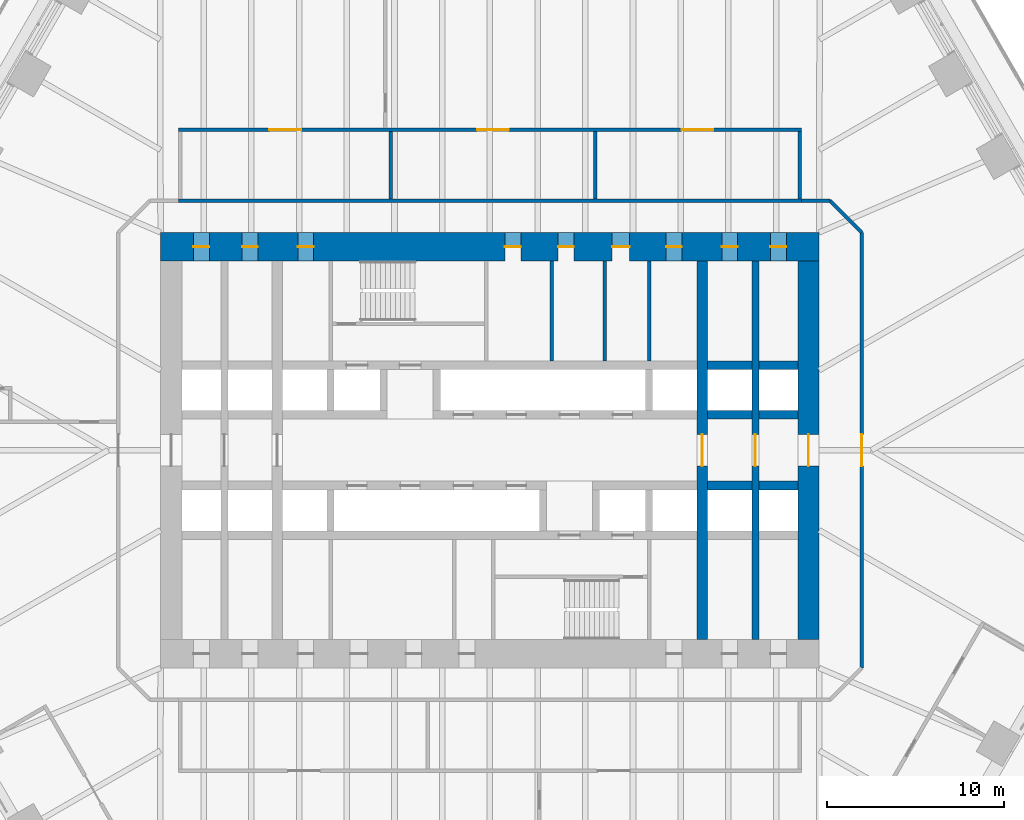
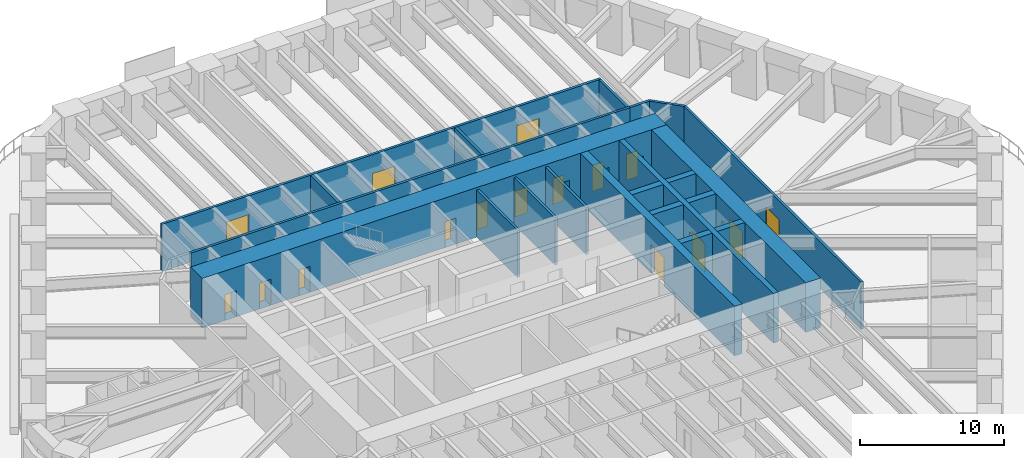
# One storey, part 19 of 23: 21 walls, 16 doors, 16 openings.
"""IFC4 building model written with IfcOpenShell, lengths in metres."""

import ifcopenshell
import ifcopenshell.guid

model = None  # the IFC model being written
_history = None  # IfcOwnerHistory: only IFC2X3 demands one
_inside = {}  # id of a spatial element -> (the spatial element, [elements in it])
_under = {}  # id of a project, library or spatial element -> (it, [spatial elements below it])
_declared = {}  # id of a project -> (the project, [libraries it declares])
_typed = {}  # id of a type object -> (the type object, [elements of that type])
_made_of = {}  # id of a material, layer set ... -> (it, [elements and type objects made of it])


def new_model(schema):
    """Start an empty IFC model of exactly this schema.

    Asked for "IFC4X3", IfcOpenShell would pick the latest addendum, in which some entities
    have other attributes; the version numbers below select the first issue.
    IFC2X3 requires an IfcOwnerHistory on every rooted entity: one is made here for all.
    """
    global model, _history
    if schema == "IFC4X3":
        model = ifcopenshell.file(schema_version=(4, 3, 0, 0))
    else:
        model = ifcopenshell.file(schema=schema)
    _inside.clear()
    _under.clear()
    _declared.clear()
    _typed.clear()
    _made_of.clear()
    _history = None
    if model.schema == "IFC2X3":
        org = make("IfcOrganization", Name="unknown")
        user = make(
            "IfcPersonAndOrganization",
            ThePerson=make("IfcPerson", FamilyName="unknown"),
            TheOrganization=org,
        )
        app = make(
            "IfcApplication",
            ApplicationDeveloper=org,
            Version="unknown",
            ApplicationFullName="unknown",
            ApplicationIdentifier="unknown",
        )
        _history = make(
            "IfcOwnerHistory",
            OwningUser=user,
            OwningApplication=app,
            ChangeAction="ADDED",
            CreationDate=0,
        )
    return model


def make(cls, **values):
    """One entity of the class cls with the attributes given. An attribute that is None is left unset."""
    return model.create_entity(
        cls, **{name: value for name, value in values.items() if value is not None}
    )


def rooted(cls, **values):
    """An entity with a GlobalId (a new one), such as an element, a storey or a relation."""
    return make(cls, GlobalId=ifcopenshell.guid.new(), OwnerHistory=_history, **values)


def si_unit(unit_type, name, prefix=None):
    """IfcSIUnit, for example si_unit("LENGTHUNIT", "METRE", prefix="MILLI")."""
    return make("IfcSIUnit", UnitType=unit_type, Prefix=prefix, Name=name)


def assignment(units):
    """IfcUnitAssignment: the units of a project."""
    return None if units is None else make("IfcUnitAssignment", Units=units)


def point(xyz):
    """IfcCartesianPoint."""
    return None if xyz is None else make("IfcCartesianPoint", Coordinates=xyz)


def direction(xyz):
    """IfcDirection."""
    return None if xyz is None else make("IfcDirection", DirectionRatios=xyz)


def frame(location, z_axis=None, x_axis=None):
    """IfcAxis2Placement3D, a coordinate frame: its origin and axes. An axis left out is left unset."""
    return make(
        "IfcAxis2Placement3D",
        Location=point(location),
        Axis=direction(z_axis),
        RefDirection=direction(x_axis),
    )


def frame_2d(location, x_axis=None):
    """IfcAxis2Placement2D, a coordinate frame in the plane: its origin and x axis."""
    return make(
        "IfcAxis2Placement2D", Location=point(location), RefDirection=direction(x_axis)
    )


def origin():
    """The frame at (0, 0, 0) with its axes left unset."""
    return frame((0.0, 0.0, 0.0))


def place(relative_to, where):
    """IfcLocalPlacement: puts the frame where relative to a parent placement (None: the world)."""
    return make(
        "IfcLocalPlacement", PlacementRelTo=relative_to, RelativePlacement=where
    )


def context(
    kind, dimensions, precision=None, world=None, true_north=None, identifier=None
):
    """IfcGeometricRepresentationContext, for example the 3D "Model" context."""
    return make(
        "IfcGeometricRepresentationContext",
        ContextIdentifier=identifier,
        ContextType=kind,
        CoordinateSpaceDimension=dimensions,
        Precision=precision,
        WorldCoordinateSystem=world,
        TrueNorth=true_north,
    )


def subcontext(parent, identifier, kind, view, scale=None):
    """IfcGeometricRepresentationSubContext, for example "Body" below "Model"."""
    return make(
        "IfcGeometricRepresentationSubContext",
        ContextIdentifier=identifier,
        ContextType=kind,
        ParentContext=parent,
        TargetScale=scale,
        TargetView=view,
    )


def project(units=None, contexts=None):
    """IfcProject with its units and contexts."""
    return rooted(
        "IfcProject",
        Name="project",
        RepresentationContexts=contexts,
        UnitsInContext=assignment(units),
    )


def spatial(cls, under=None, at=None, **own):
    """A site, building, storey or space (cls), placed at a placement, below another one or the project."""
    s = rooted(cls, ObjectPlacement=at, **own)
    if under is not None:
        _under.setdefault(under.id(), (under, []))[1].append(s)
    return s


def profile(cls, at=None, kind="AREA", **sizes):
    """A parametric profile (cls). Its sizes go by their IFC names, for example OverallWidth=200.0."""
    return make(cls, ProfileType=kind, Position=at, **sizes)


def rectangle(**sizes):
    """IfcRectangleProfileDef."""
    return profile("IfcRectangleProfileDef", **sizes)


def extrude(swept, where, along, depth):
    """IfcExtrudedAreaSolid: the profile swept, set in the frame where, extruded along a direction by depth."""
    return make(
        "IfcExtrudedAreaSolid",
        SweptArea=swept,
        Position=where,
        ExtrudedDirection=direction(along),
        Depth=depth,
    )


def shape(context_of_items, identifier, shape_type, items):
    """IfcShapeRepresentation: the items that make up one representation, for example the "Body"."""
    return make(
        "IfcShapeRepresentation",
        ContextOfItems=context_of_items,
        RepresentationIdentifier=identifier,
        RepresentationType=shape_type,
        Items=items,
    )


def material(Name=None, Category=None):
    """IfcMaterial."""
    return make("IfcMaterial", Name=Name, Category=Category)


def layer(
    of_material, thickness, ventilated=None, Name=None, Category=None, Priority=None
):
    """IfcMaterialLayer: one layer of a wall or slab, of a material (None: an air gap)."""
    return make(
        "IfcMaterialLayer",
        Material=of_material,
        LayerThickness=thickness,
        IsVentilated=ventilated,
        Name=Name,
        Category=Category,
        Priority=Priority,
    )


def layer_set(layers, Name=None):
    """IfcMaterialLayerSet."""
    return make("IfcMaterialLayerSet", MaterialLayers=layers, LayerSetName=Name)


def made_of(thing, what):
    """Note that an element or type object is made of a material, layer set ...; save() writes the relation."""
    if what is not None:
        _made_of.setdefault(what.id(), (what, []))[1].append(thing)
    return thing


def type_object(cls, material=None, **own):
    """A type object (cls), such as IfcWallType, which elements share."""
    return made_of(rooted(cls, **own), material)


def element(
    cls,
    number,
    at=None,
    inside=None,
    cuts=None,
    type_object=None,
    material=None,
    context=None,
    identifier="Body",
    shape_type=None,
    held_by="IfcProductDefinitionShape",
    body=None,
    shapes=None,
    **own,
):
    """One element of the class cls, such as IfcWall. Its Tag is "e" and its number.

    at: its placement. inside: the storey or other place that contains it. cuts: it is an
    opening in that element (IfcRelVoidsElement). A single representation is given by context,
    identifier, shape_type and body (its items); several are given by shapes. held_by: the class
    of the entity that holds the representations. save() writes the other relations.
    """
    e = rooted(cls, Tag="e%d" % number, ObjectPlacement=at, **own)
    if body is not None:
        shapes = [shape(context, identifier, shape_type, body)]
    if shapes is not None:
        e.Representation = make(held_by, Representations=shapes)
    if inside is not None:
        _inside.setdefault(inside.id(), (inside, []))[1].append(e)
    if cuts is not None:
        rooted(
            "IfcRelVoidsElement", RelatingBuildingElement=cuts, RelatedOpeningElement=e
        )
    if type_object is not None:
        _typed.setdefault(type_object.id(), (type_object, []))[1].append(e)
    return made_of(e, material)


def fill(opening, filler):
    """IfcRelFillsElement: the door or window that sits in an opening."""
    return rooted(
        "IfcRelFillsElement",
        RelatingOpeningElement=opening,
        RelatedBuildingElement=filler,
    )


def aggregate(whole, parts):
    """IfcRelAggregates: a whole, such as a stair, and the parts it consists of."""
    return rooted("IfcRelAggregates", RelatingObject=whole, RelatedObjects=parts)


def save(model, path):
    """Write the relations noted so far, then the file.

    IfcRelAggregates (storeys below a building ...), IfcRelContainedInSpatialStructure (elements
    in a storey), IfcRelDefinesByType, IfcRelAssociatesMaterial and IfcRelDeclares: one each for
    every whole, place, type object, material and project.
    """
    for whole, parts in _under.values():
        aggregate(whole, parts)
    for where, things in _inside.values():
        rooted(
            "IfcRelContainedInSpatialStructure",
            RelatedElements=things,
            RelatingStructure=where,
        )
    for kind, things in _typed.values():
        rooted("IfcRelDefinesByType", RelatedObjects=things, RelatingType=kind)
    for what, things in _made_of.values():
        rooted("IfcRelAssociatesMaterial", RelatedObjects=things, RelatingMaterial=what)
    for by, libraries in _declared.values():
        rooted("IfcRelDeclares", RelatingContext=by, RelatedDefinitions=libraries)
    model.write(path)


model = new_model("IFC4")

# Units and contexts
model_context = context("Model", 3, precision=1e-05, world=origin(), true_north=direction((0.0, 1.0)))
body_context = subcontext(model_context, "Body", "Model", "MODEL_VIEW")
ifc_project = project(units=[si_unit("LENGTHUNIT", "METRE"), si_unit("AREAUNIT", "SQUARE_METRE"), si_unit("VOLUMEUNIT", "CUBIC_METRE"), si_unit("PLANEANGLEUNIT", "RADIAN"), si_unit("MASSUNIT", "GRAM", prefix="KILO")], contexts=[model_context])

# Site, building, storey
site_placement = place(None, origin())
site = spatial("IfcSite", under=ifc_project, at=site_placement, CompositionType="ELEMENT")
building_placement = place(site_placement, origin())
building = spatial("IfcBuilding", under=site, at=building_placement, Name="Tarfa Lantern Tower", CompositionType="ELEMENT")
storey_placement = place(building_placement, frame((0.0, 0.0, 82.300048828125)))
storey = spatial("IfcBuildingStorey", under=building, at=storey_placement, Name="L18", CompositionType="ELEMENT", Elevation=82.300048828125)

# Walls
ifc_material_1 = material(Name="Concrete blockwork", Category="masonry")
ifc_layer_1 = layer(ifc_material_1, 0.199951171875)
ifc_layer_set_1 = layer_set([ifc_layer_1], Name="IW1 BLOCKWORK PARTITION 200 EI 120")
wall_type_1 = type_object("IfcWallType", Name="IW1 BLOCKWORK PARTITION 200 EI 120", PredefinedType="PARTITIONING", material=ifc_layer_set_1)
for number, where, z_axis, x_axis, name in (
    (1, (9.0, 5.050048828125, 0.0), (0.0, 0.0, 1.0), (0.0, 1.0, 0.0), "Core partition"),
    (2, (3.5, 5.050048828125, 0.0), (0.0, 0.0, 1.0), (0.0, 1.0, 0.0), "Core partition"),
    (3, (6.5, 5.050048828125, 0.0), (0.0, 0.0, 1.0), (0.0, 1.0, 0.0), "Core partition"),
):
    element("IfcWall", number, at=place(storey_placement, frame(where, z_axis=z_axis, x_axis=x_axis)), inside=storey, type_object=wall_type_1, Name=name, PredefinedType="PARTITIONING", context=body_context, shape_type="SweptSolid", body=[
        extrude(rectangle(XDim=5.64990234375, YDim=0.199951171875, at=frame_2d((2.824951171875, 0.0))), origin(), (0.0, 0.0, 1.0), 4.0),
    ])
ifc_material_2 = material(Name="Gypsum board on steel studs", Category="steel")
ifc_layer_2 = layer(ifc_material_2, 0.2099609375)
ifc_layer_set_2 = layer_set([ifc_layer_2], Name="IW2 ACOUSTIC PARTITION 200")
wall_type_2 = type_object("IfcWallType", Name="IW2 ACOUSTIC PARTITION 200", PredefinedType="PARTITIONING", material=ifc_layer_set_2)
wall_1_placement = place(storey_placement, frame((-17.60009765625, 14.10009765625, 0.0), z_axis=(0.0, 0.0, 1.0), x_axis=(1.0, 0.0, 0.0)))
element("IfcWall", 4, at=wall_1_placement, inside=storey, type_object=wall_type_2, Name="Partition", PredefinedType="PARTITIONING", context=body_context, shape_type="SweptSolid", body=[
    extrude(rectangle(XDim=35.2001953125, YDim=0.199951171875, at=frame_2d((17.60009765625, 0.0))), origin(), (0.0, 0.0, 1.0), 4.0),
])

# Wall, openings, doors
wall_2_placement = place(storey_placement, frame((-17.60009765625, 18.10009765625, 0.0), z_axis=(0.0, 0.0, 1.0), x_axis=(1.0, 0.0, 0.0)))
wall_2 = element("IfcWall", 5, at=wall_2_placement, inside=storey, type_object=wall_type_2, Name="Partition", PredefinedType="PARTITIONING", context=body_context, shape_type="SweptSolid", body=[
    extrude(rectangle(XDim=35.2001953125, YDim=0.199951171875, at=frame_2d((17.60009765625, 0.0))), origin(), (0.0, 0.0, 1.0), 4.0),
])
opening_1_placement = place(wall_2_placement, frame((5.14990234375, 0.0, 0.0)))
opening_1 = element("IfcOpeningElement", 6, at=opening_1_placement, cuts=wall_2, Name="Opening D32", PredefinedType="OPENING", context=body_context, shape_type="SweptSolid", body=[
    extrude(rectangle(XDim=1.800048828125, YDim=2.39990234375, at=frame_2d((0.89990234375, 1.199951171875))), frame((0.0, 0.10986328125, 0.0), z_axis=(0.0, -1.0, 0.0), x_axis=(1.0, 0.0, 0.0)), (0.0, 0.0, 1.0), 0.219970703125),
])
opening_2_placement = place(wall_2_placement, frame((16.875, 0.0, 0.0)))
opening_2 = element("IfcOpeningElement", 7, at=opening_2_placement, cuts=wall_2, Name="Opening D33", PredefinedType="OPENING", context=body_context, shape_type="SweptSolid", body=[
    extrude(rectangle(XDim=1.800048828125, YDim=2.39990234375, at=frame_2d((0.89990234375, 1.199951171875))), frame((0.0, 0.10986328125, 0.0), z_axis=(0.0, -1.0, 0.0), x_axis=(1.0, 0.0, 0.0)), (0.0, 0.0, 1.0), 0.219970703125),
])
opening_3_placement = place(wall_2_placement, frame((28.425048828125, 0.0, 0.0)))
opening_3 = element("IfcOpeningElement", 8, at=opening_3_placement, cuts=wall_2, Name="Opening D34", PredefinedType="OPENING", context=body_context, shape_type="SweptSolid", body=[
    extrude(rectangle(XDim=1.800048828125, YDim=2.39990234375, at=frame_2d((0.89990234375, 1.199951171875))), frame((0.0, 0.10986328125, 0.0), z_axis=(0.0, -1.0, 0.0), x_axis=(1.0, 0.0, 0.0)), (0.0, 0.0, 1.0), 0.219970703125),
])
ifc_material_3 = material(Name="Timber door", Category="wood")
door_type_1 = type_object("IfcDoorType", Name="DR2 ROOM DOOR 1800x2400", OperationType="DOUBLE_DOOR_SINGLE_SWING", PredefinedType="DOOR", material=ifc_material_3)
door_1_placement = place(opening_1_placement, frame((1.800048828125, 0.0, 0.0), z_axis=(0.0, 0.0, 1.0), x_axis=(-1.0, 0.0, 0.0)))
door_1 = element("IfcDoor", 9, at=door_1_placement, inside=storey, type_object=door_type_1, Name="Interview room door", OperationType="DOUBLE_DOOR_SINGLE_SWING", OverallHeight=2.39990234375, OverallWidth=1.800048828125, PredefinedType="DOOR", context=body_context, shape_type="SweptSolid", body=[
    extrude(rectangle(XDim=1.800048828125, YDim=2.39990234375, at=frame_2d((0.89990234375, 1.199951171875))), frame((0.0, 0.02490234375, 0.0), z_axis=(0.0, -1.0, 0.0), x_axis=(1.0, 0.0, 0.0)), (0.0, 0.0, 1.0), 0.050048828125),
])
fill(opening_1, door_1)
door_2_placement = place(opening_2_placement, frame((1.800048828125, 0.0, 0.0), z_axis=(0.0, 0.0, 1.0), x_axis=(-1.0, 0.0, 0.0)))
door_2 = element("IfcDoor", 10, at=door_2_placement, inside=storey, type_object=door_type_1, Name="Interview room door", OperationType="DOUBLE_DOOR_SINGLE_SWING", OverallHeight=2.39990234375, OverallWidth=1.800048828125, PredefinedType="DOOR", context=body_context, shape_type="SweptSolid", body=[
    extrude(rectangle(XDim=1.800048828125, YDim=2.39990234375, at=frame_2d((0.89990234375, 1.199951171875))), frame((0.0, 0.02490234375, 0.0), z_axis=(0.0, -1.0, 0.0), x_axis=(1.0, 0.0, 0.0)), (0.0, 0.0, 1.0), 0.050048828125),
])
fill(opening_2, door_2)
door_3_placement = place(opening_3_placement, frame((1.800048828125, 0.0, 0.0), z_axis=(0.0, 0.0, 1.0), x_axis=(-1.0, 0.0, 0.0)))
door_3 = element("IfcDoor", 11, at=door_3_placement, inside=storey, type_object=door_type_1, Name="Interview room door", OperationType="DOUBLE_DOOR_SINGLE_SWING", OverallHeight=2.39990234375, OverallWidth=1.800048828125, PredefinedType="DOOR", context=body_context, shape_type="SweptSolid", body=[
    extrude(rectangle(XDim=1.800048828125, YDim=2.39990234375, at=frame_2d((0.89990234375, 1.199951171875))), frame((0.0, 0.02490234375, 0.0), z_axis=(0.0, -1.0, 0.0), x_axis=(1.0, 0.0, 0.0)), (0.0, 0.0, 1.0), 0.050048828125),
])
fill(opening_3, door_3)

# Walls
for number, where, z_axis, x_axis, name in (
    (12, (-5.60009765625, 14.199951171875, 0.0), (0.0, 0.0, 1.0), (0.0, 1.0, 0.0), "Partition"),
    (13, (5.949951171875, 14.199951171875, 0.0), (0.0, 0.0, 1.0), (0.0, 1.0, 0.0), "Partition"),
    (14, (17.5, 14.199951171875, 0.0), (0.0, 0.0, 1.0), (0.0, 1.0, 0.0), "Partition"),
):
    element("IfcWall", number, at=place(storey_placement, frame(where, z_axis=z_axis, x_axis=x_axis)), inside=storey, type_object=wall_type_2, Name=name, PredefinedType="PARTITIONING", context=body_context, shape_type="SweptSolid", body=[
        extrude(rectangle(XDim=3.800048828125, YDim=0.199951171875, at=frame_2d((1.89990234375, 0.0))), origin(), (0.0, 0.0, 1.0), 4.0),
    ])
wall_3_placement = place(storey_placement, frame((17.60009765625, 14.10009765625, 0.0), z_axis=(0.0, 0.0, 1.0), x_axis=(1.0, 0.0, 0.0)))
element("IfcWall", 15, at=wall_3_placement, inside=storey, type_object=wall_type_2, Name="Partition", PredefinedType="PARTITIONING", context=body_context, shape_type="SweptSolid", body=[
    extrude(rectangle(XDim=1.599853515625, YDim=0.199951171875, at=frame_2d((0.7998046875, 0.0))), origin(), (0.0, 0.0, 1.0), 4.0),
])
wall_4_placement = place(storey_placement, frame((19.199951171875, 14.10009765625, 0.0), z_axis=(0.0, 0.0, 1.0), x_axis=(0.707106781187, -0.707106781187, 0.0)))
element("IfcWall", 16, at=wall_4_placement, inside=storey, type_object=wall_type_2, Name="Partition", PredefinedType="PARTITIONING", context=body_context, shape_type="SweptSolid", body=[
    extrude(rectangle(XDim=2.545654296875, YDim=0.199951171875, at=frame_2d((1.27294921875, 0.0))), origin(), (0.0, 0.0, 1.0), 4.0),
])

# Wall, opening, door
wall_5_placement = place(storey_placement, frame((21.0, 12.300048828125, 0.0), z_axis=(0.0, 0.0, 1.0), x_axis=(0.0, -1.0, 0.0)))
wall_5 = element("IfcWall", 17, at=wall_5_placement, inside=storey, type_object=wall_type_2, Name="Partition", PredefinedType="PARTITIONING", context=body_context, shape_type="SweptSolid", body=[
    extrude(rectangle(XDim=24.60009765625, YDim=0.199951171875, at=frame_2d((12.300048828125, 0.0))), origin(), (0.0, 0.0, 1.0), 4.0),
])
opening_4_placement = place(wall_5_placement, frame((11.39990234375, 0.0, 0.0)))
opening_4 = element("IfcOpeningElement", 18, at=opening_4_placement, cuts=wall_5, Name="Opening D42", PredefinedType="OPENING", context=body_context, shape_type="SweptSolid", body=[
    extrude(rectangle(XDim=1.800048828125, YDim=2.39990234375, at=frame_2d((0.89990234375, 1.199951171875))), frame((0.0, 0.10986328125, 0.0), z_axis=(0.0, -1.0, 0.0), x_axis=(1.0, 0.0, 0.0)), (0.0, 0.0, 1.0), 0.219970703125),
])
door_4_placement = place(opening_4_placement, origin())
door_4 = element("IfcDoor", 19, at=door_4_placement, inside=storey, type_object=door_type_1, Name="Corridor door", OperationType="DOUBLE_DOOR_SINGLE_SWING", OverallHeight=2.39990234375, OverallWidth=1.800048828125, PredefinedType="DOOR", context=body_context, shape_type="SweptSolid", body=[
    extrude(rectangle(XDim=1.800048828125, YDim=2.39990234375, at=frame_2d((0.89990234375, 1.199951171875))), frame((0.0, 0.02490234375, 0.0), z_axis=(0.0, -1.0, 0.0), x_axis=(1.0, 0.0, 0.0)), (0.0, 0.0, 1.0), 0.050048828125),
])
fill(opening_4, door_4)

ifc_material_4 = material(Name="Concrete C80/95", Category="concrete")
ifc_layer_3 = layer(ifc_material_4, 1.199951171875)
ifc_layer_set_3 = layer_set([ifc_layer_3], Name="SW1 CORE WALL 1200")
wall_type_3 = type_object("IfcWallType", Name="SW1 CORE WALL 1200", PredefinedType="SHEAR", material=ifc_layer_set_3)
wall_6_placement = place(storey_placement, frame((18.0, -10.699951171875, 0.0), z_axis=(0.0, 0.0, 1.0), x_axis=(0.0, 1.0, 0.0)))
wall_6 = element("IfcWall", 20, at=wall_6_placement, inside=storey, type_object=wall_type_3, Name="Core wall E", PredefinedType="SHEAR", context=body_context, shape_type="SweptSolid", body=[
    extrude(rectangle(XDim=21.39990234375, YDim=1.199951171875, at=frame_2d((10.699951171875, 0.0))), origin(), (0.0, 0.0, 1.0), 4.199951171875),
])
opening_5_placement = place(wall_6_placement, frame((9.800048828125, 0.0, 0.0)))
opening_5 = element("IfcOpeningElement", 21, at=opening_5_placement, cuts=wall_6, Name="Opening D15", PredefinedType="OPENING", context=body_context, shape_type="SweptSolid", body=[
    extrude(rectangle(XDim=1.800048828125, YDim=2.39990234375, at=frame_2d((0.89990234375, 1.199951171875))), frame((0.0, 0.60986328125, 0.0), z_axis=(0.0, -1.0, 0.0), x_axis=(1.0, 0.0, 0.0)), (0.0, 0.0, 1.0), 1.219970703125),
])
ifc_material_5 = material(Name="Steel fire door", Category="steel")
door_type_2 = type_object("IfcDoorType", Name="DL1 LOBBY DOOR 1800x2400", OperationType="DOUBLE_DOOR_SINGLE_SWING", PredefinedType="DOOR", material=ifc_material_5)
door_5_placement = place(opening_5_placement, frame((1.800048828125, 0.0, 0.0), z_axis=(0.0, 0.0, 1.0), x_axis=(-1.0, 0.0, 0.0)))
door_5 = element("IfcDoor", 22, at=door_5_placement, inside=storey, type_object=door_type_2, Name="Lift lobby door", OperationType="DOUBLE_DOOR_SINGLE_SWING", OverallHeight=2.39990234375, OverallWidth=1.800048828125, PredefinedType="DOOR", context=body_context, shape_type="SweptSolid", body=[
    extrude(rectangle(XDim=1.800048828125, YDim=2.39990234375, at=frame_2d((0.89990234375, 1.199951171875))), frame((0.0, 0.02490234375, 0.0), z_axis=(0.0, -1.0, 0.0), x_axis=(1.0, 0.0, 0.0)), (0.0, 0.0, 1.0), 0.050048828125),
])
fill(opening_5, door_5)

# Walls
ifc_layer_4 = layer(ifc_material_4, 0.5)
ifc_layer_set_4 = layer_set([ifc_layer_4], Name="SW5 CORE WALL 500")
wall_type_4 = type_object("IfcWallType", Name="SW5 CORE WALL 500", PredefinedType="SHEAR", material=ifc_layer_set_4)
wall_7_placement = place(storey_placement, frame((12.300048828125, 2.0, 0.0), z_axis=(0.0, 0.0, 1.0), x_axis=(1.0, 0.0, 0.0)))
element("IfcWall", 23, at=wall_7_placement, inside=storey, type_object=wall_type_4, Name="Core wall lobby east N", PredefinedType="SHEAR", context=body_context, shape_type="SweptSolid", body=[
    extrude(rectangle(XDim=2.5, YDim=0.5, at=frame_2d((1.25, 0.0))), origin(), (0.0, 0.0, 1.0), 4.199951171875),
])
wall_8_placement = place(storey_placement, frame((15.199951171875, 2.0, 0.0), z_axis=(0.0, 0.0, 1.0), x_axis=(1.0, 0.0, 0.0)))
element("IfcWall", 24, at=wall_8_placement, inside=storey, type_object=wall_type_4, Name="Core wall lobby east N", PredefinedType="SHEAR", context=body_context, shape_type="SweptSolid", body=[
    extrude(rectangle(XDim=2.199951171875, YDim=0.5, at=frame_2d((1.10009765625, 0.0))), origin(), (0.0, 0.0, 1.0), 4.199951171875),
])
wall_9_placement = place(storey_placement, frame((12.300048828125, 4.800048828125, 0.0), z_axis=(0.0, 0.0, 1.0), x_axis=(1.0, 0.0, 0.0)))
element("IfcWall", 25, at=wall_9_placement, inside=storey, type_object=wall_type_4, Name="Core wall rear N", PredefinedType="SHEAR", context=body_context, shape_type="SweptSolid", body=[
    extrude(rectangle(XDim=2.5, YDim=0.5, at=frame_2d((1.25, 0.0))), origin(), (0.0, 0.0, 1.0), 4.199951171875),
])
for number, where, z_axis, x_axis, name in (
    (26, (15.199951171875, 4.800048828125, 0.0), (0.0, 0.0, 1.0), (1.0, 0.0, 0.0), "Core wall rear N"),
    (27, (17.39990234375, -2.0, 0.0), (0.0, 0.0, 1.0), (-1.0, 0.0, 0.0), "Core wall lobby west S"),
):
    element("IfcWall", number, at=place(storey_placement, frame(where, z_axis=z_axis, x_axis=x_axis)), inside=storey, type_object=wall_type_4, Name=name, PredefinedType="SHEAR", context=body_context, shape_type="SweptSolid", body=[
        extrude(rectangle(XDim=2.199951171875, YDim=0.5, at=frame_2d((1.10009765625, 0.0))), origin(), (0.0, 0.0, 1.0), 4.199951171875),
    ])
wall_10_placement = place(storey_placement, frame((14.800048828125, -2.0, 0.0), z_axis=(0.0, 0.0, 1.0), x_axis=(-1.0, 0.0, 0.0)))
element("IfcWall", 28, at=wall_10_placement, inside=storey, type_object=wall_type_4, Name="Core wall lobby west S", PredefinedType="SHEAR", context=body_context, shape_type="SweptSolid", body=[
    extrude(rectangle(XDim=2.5, YDim=0.5, at=frame_2d((1.25, 0.0))), origin(), (0.0, 0.0, 1.0), 4.199951171875),
])

# Wall, opening, door
ifc_layer_5 = layer(ifc_material_4, 0.39990234375)
ifc_layer_set_5 = layer_set([ifc_layer_5], Name="SW6 CORE WALL 400")
wall_type_5 = type_object("IfcWallType", Name="SW6 CORE WALL 400", PredefinedType="SHEAR", material=ifc_layer_set_5)
wall_11_placement = place(storey_placement, frame((15.0, -10.699951171875, 0.0), z_axis=(0.0, 0.0, 1.0), x_axis=(0.0, 1.0, 0.0)))
wall_11 = element("IfcWall", 29, at=wall_11_placement, inside=storey, type_object=wall_type_5, Name="Core wall cross 15 m east", PredefinedType="SHEAR", context=body_context, shape_type="SweptSolid", body=[
    extrude(rectangle(XDim=21.39990234375, YDim=0.39990234375, at=frame_2d((10.699951171875, 0.0))), origin(), (0.0, 0.0, 1.0), 4.199951171875),
])
opening_6_placement = place(wall_11_placement, frame((9.800048828125, 0.0, 0.0)))
opening_6 = element("IfcOpeningElement", 30, at=opening_6_placement, cuts=wall_11, Name="Opening D26", PredefinedType="OPENING", context=body_context, shape_type="SweptSolid", body=[
    extrude(rectangle(XDim=1.800048828125, YDim=2.39990234375, at=frame_2d((0.89990234375, 1.199951171875))), frame((0.0, 0.2099609375, 0.0), z_axis=(0.0, -1.0, 0.0), x_axis=(1.0, 0.0, 0.0)), (0.0, 0.0, 1.0), 0.419921875),
])
door_6_placement = place(opening_6_placement, origin())
door_6 = element("IfcDoor", 31, at=door_6_placement, inside=storey, type_object=door_type_2, Name="Lift lobby door", OperationType="DOUBLE_DOOR_SINGLE_SWING", OverallHeight=2.39990234375, OverallWidth=1.800048828125, PredefinedType="DOOR", context=body_context, shape_type="SweptSolid", body=[
    extrude(rectangle(XDim=1.800048828125, YDim=2.39990234375, at=frame_2d((0.89990234375, 1.199951171875))), frame((0.0, 0.02490234375, 0.0), z_axis=(0.0, -1.0, 0.0), x_axis=(1.0, 0.0, 0.0)), (0.0, 0.0, 1.0), 0.050048828125),
])
fill(opening_6, door_6)

# Wall, openings, doors
ifc_layer_6 = layer(ifc_material_4, 1.60009765625)
ifc_layer_set_6 = layer_set([ifc_layer_6], Name="SW7 CORE WALL 1600")
wall_type_6 = type_object("IfcWallType", Name="SW7 CORE WALL 1600", PredefinedType="SHEAR", material=ifc_layer_set_6)
wall_12_placement = place(storey_placement, frame((-18.60009765625, 11.5, 0.0), z_axis=(0.0, 0.0, 1.0), x_axis=(1.0, 0.0, 0.0)))
wall_12 = element("IfcWall", 32, at=wall_12_placement, inside=storey, type_object=wall_type_6, Name="Core wall N", PredefinedType="SHEAR", context=body_context, shape_type="SweptSolid", body=[
    extrude(rectangle(XDim=37.2001953125, YDim=1.60009765625, at=frame_2d((18.60009765625, 0.0))), origin(), (0.0, 0.0, 1.0), 4.199951171875),
])
opening_7_placement = place(wall_12_placement, frame((19.449951171875, 0.0, 0.0)))
opening_7 = element("IfcOpeningElement", 33, at=opening_7_placement, cuts=wall_12, Name="Opening D17", PredefinedType="OPENING", context=body_context, shape_type="SweptSolid", body=[
    extrude(rectangle(XDim=0.89990234375, YDim=2.199951171875, at=frame_2d((0.449951171875, 1.10009765625))), frame((0.0, 0.81005859375, 0.0), z_axis=(0.0, -1.0, 0.0), x_axis=(1.0, 0.0, 0.0)), (0.0, 0.0, 1.0), 1.6201171875),
])
opening_8_placement = place(wall_12_placement, frame((22.449951171875, 0.0, 0.0)))
opening_8 = element("IfcOpeningElement", 34, at=opening_8_placement, cuts=wall_12, Name="Opening D19", PredefinedType="OPENING", context=body_context, shape_type="SweptSolid", body=[
    extrude(rectangle(XDim=0.89990234375, YDim=2.199951171875, at=frame_2d((0.449951171875, 1.10009765625))), frame((0.0, 0.81005859375, 0.0), z_axis=(0.0, -1.0, 0.0), x_axis=(1.0, 0.0, 0.0)), (0.0, 0.0, 1.0), 1.6201171875),
])
opening_9_placement = place(wall_12_placement, frame((25.5, 0.0, 0.0)))
opening_9 = element("IfcOpeningElement", 35, at=opening_9_placement, cuts=wall_12, Name="Opening D21", PredefinedType="OPENING", context=body_context, shape_type="SweptSolid", body=[
    extrude(rectangle(XDim=1.0, YDim=2.199951171875, at=frame_2d((0.5, 1.10009765625))), frame((0.0, 0.81005859375, 0.0), z_axis=(0.0, -1.0, 0.0), x_axis=(1.0, 0.0, 0.0)), (0.0, 0.0, 1.0), 1.6201171875),
])
opening_10_placement = place(wall_12_placement, frame((1.85009765625, 0.0, 0.0)))
opening_10 = element("IfcOpeningElement", 36, at=opening_10_placement, cuts=wall_12, Name="Opening D11", PredefinedType="OPENING", context=body_context, shape_type="SweptSolid", body=[
    extrude(rectangle(XDim=0.89990234375, YDim=2.199951171875, at=frame_2d((0.449951171875, 1.10009765625))), frame((0.0, 0.81005859375, 0.0), z_axis=(0.0, -1.0, 0.0), x_axis=(1.0, 0.0, 0.0)), (0.0, 0.0, 1.0), 1.6201171875),
])
opening_11_placement = place(wall_12_placement, frame((4.60009765625, 0.0, 0.0)))
opening_11 = element("IfcOpeningElement", 37, at=opening_11_placement, cuts=wall_12, Name="Opening D07", PredefinedType="OPENING", context=body_context, shape_type="SweptSolid", body=[
    extrude(rectangle(XDim=0.89990234375, YDim=2.199951171875, at=frame_2d((0.449951171875, 1.10009765625))), frame((0.0, 0.81005859375, 0.0), z_axis=(0.0, -1.0, 0.0), x_axis=(1.0, 0.0, 0.0)), (0.0, 0.0, 1.0), 1.6201171875),
])
opening_12_placement = place(wall_12_placement, frame((7.75, 0.0, 0.0)))
opening_12 = element("IfcOpeningElement", 38, at=opening_12_placement, cuts=wall_12, Name="Opening D09", PredefinedType="OPENING", context=body_context, shape_type="SweptSolid", body=[
    extrude(rectangle(XDim=0.89990234375, YDim=2.199951171875, at=frame_2d((0.449951171875, 1.10009765625))), frame((0.0, 0.81005859375, 0.0), z_axis=(0.0, -1.0, 0.0), x_axis=(1.0, 0.0, 0.0)), (0.0, 0.0, 1.0), 1.6201171875),
])
opening_13_placement = place(wall_12_placement, frame((28.550048828125, 0.0, 0.0)))
opening_13 = element("IfcOpeningElement", 39, at=opening_13_placement, cuts=wall_12, Name="Opening D05", PredefinedType="OPENING", context=body_context, shape_type="SweptSolid", body=[
    extrude(rectangle(XDim=0.89990234375, YDim=2.199951171875, at=frame_2d((0.449951171875, 1.10009765625))), frame((0.0, 0.81005859375, 0.0), z_axis=(0.0, -1.0, 0.0), x_axis=(1.0, 0.0, 0.0)), (0.0, 0.0, 1.0), 1.6201171875),
])
opening_14_placement = place(wall_12_placement, frame((31.699951171875, 0.0, 0.0)))
opening_14 = element("IfcOpeningElement", 40, at=opening_14_placement, cuts=wall_12, Name="Opening D01", PredefinedType="OPENING", context=body_context, shape_type="SweptSolid", body=[
    extrude(rectangle(XDim=0.89990234375, YDim=2.199951171875, at=frame_2d((0.449951171875, 1.10009765625))), frame((0.0, 0.81005859375, 0.0), z_axis=(0.0, -1.0, 0.0), x_axis=(1.0, 0.0, 0.0)), (0.0, 0.0, 1.0), 1.6201171875),
])
opening_15_placement = place(wall_12_placement, frame((34.449951171875, 0.0, 0.0)))
opening_15 = element("IfcOpeningElement", 41, at=opening_15_placement, cuts=wall_12, Name="Opening D03", PredefinedType="OPENING", context=body_context, shape_type="SweptSolid", body=[
    extrude(rectangle(XDim=0.89990234375, YDim=2.199951171875, at=frame_2d((0.449951171875, 1.10009765625))), frame((0.0, 0.81005859375, 0.0), z_axis=(0.0, -1.0, 0.0), x_axis=(1.0, 0.0, 0.0)), (0.0, 0.0, 1.0), 1.6201171875),
])
door_type_3 = type_object("IfcDoorType", Name="DF3 CORE ROOM DOOR 900x2200", OperationType="SINGLE_SWING_LEFT", PredefinedType="DOOR", material=ifc_material_5)
door_7_placement = place(opening_7_placement, frame((0.89990234375, 0.0, 0.0), z_axis=(0.0, 0.0, 1.0), x_axis=(-1.0, 0.0, 0.0)))
door_7 = element("IfcDoor", 42, at=door_7_placement, inside=storey, type_object=door_type_3, Name="Core door", OperationType="SINGLE_SWING_LEFT", OverallHeight=2.199951171875, OverallWidth=0.89990234375, PredefinedType="DOOR", context=body_context, shape_type="SweptSolid", body=[
    extrude(rectangle(XDim=0.89990234375, YDim=2.199951171875, at=frame_2d((0.449951171875, 1.10009765625))), frame((0.0, 0.02490234375, 0.0), z_axis=(0.0, -1.0, 0.0), x_axis=(1.0, 0.0, 0.0)), (0.0, 0.0, 1.0), 0.050048828125),
])
fill(opening_7, door_7)
door_8_placement = place(opening_8_placement, frame((0.89990234375, 0.0, 0.0), z_axis=(0.0, 0.0, 1.0), x_axis=(-1.0, 0.0, 0.0)))
door_8 = element("IfcDoor", 43, at=door_8_placement, inside=storey, type_object=door_type_3, Name="Core door", OperationType="SINGLE_SWING_LEFT", OverallHeight=2.199951171875, OverallWidth=0.89990234375, PredefinedType="DOOR", context=body_context, shape_type="SweptSolid", body=[
    extrude(rectangle(XDim=0.89990234375, YDim=2.199951171875, at=frame_2d((0.449951171875, 1.10009765625))), frame((0.0, 0.02490234375, 0.0), z_axis=(0.0, -1.0, 0.0), x_axis=(1.0, 0.0, 0.0)), (0.0, 0.0, 1.0), 0.050048828125),
])
fill(opening_8, door_8)
door_type_4 = type_object("IfcDoorType", Name="DF4 CORE ROOM DOOR 1000x2200", OperationType="SINGLE_SWING_LEFT", PredefinedType="DOOR", material=ifc_material_5)
door_9_placement = place(opening_9_placement, frame((1.0, 0.0, 0.0), z_axis=(0.0, 0.0, 1.0), x_axis=(-1.0, 0.0, 0.0)))
door_9 = element("IfcDoor", 44, at=door_9_placement, inside=storey, type_object=door_type_4, Name="Core door", OperationType="SINGLE_SWING_LEFT", OverallHeight=2.199951171875, OverallWidth=1.0, PredefinedType="DOOR", context=body_context, shape_type="SweptSolid", body=[
    extrude(rectangle(XDim=1.0, YDim=2.199951171875, at=frame_2d((0.5, 1.10009765625))), frame((0.0, 0.02490234375, 0.0), z_axis=(0.0, -1.0, 0.0), x_axis=(1.0, 0.0, 0.0)), (0.0, 0.0, 1.0), 0.050048828125),
])
fill(opening_9, door_9)
door_type_5 = type_object("IfcDoorType", Name="DF5 RISER DOOR 900x2200", OperationType="SINGLE_SWING_LEFT", PredefinedType="DOOR", material=ifc_material_5)
door_10_placement = place(opening_10_placement, frame((0.89990234375, 0.0, 0.0), z_axis=(0.0, 0.0, 1.0), x_axis=(-1.0, 0.0, 0.0)))
door_10 = element("IfcDoor", 45, at=door_10_placement, inside=storey, type_object=door_type_5, Name="Riser door", OperationType="SINGLE_SWING_LEFT", OverallHeight=2.199951171875, OverallWidth=0.89990234375, PredefinedType="DOOR", context=body_context, shape_type="SweptSolid", body=[
    extrude(rectangle(XDim=0.89990234375, YDim=2.199951171875, at=frame_2d((0.449951171875, 1.10009765625))), frame((0.0, 0.02490234375, 0.0), z_axis=(0.0, -1.0, 0.0), x_axis=(1.0, 0.0, 0.0)), (0.0, 0.0, 1.0), 0.050048828125),
])
fill(opening_10, door_10)
door_11_placement = place(opening_11_placement, frame((0.89990234375, 0.0, 0.0), z_axis=(0.0, 0.0, 1.0), x_axis=(-1.0, 0.0, 0.0)))
door_11 = element("IfcDoor", 46, at=door_11_placement, inside=storey, type_object=door_type_5, Name="Riser door", OperationType="SINGLE_SWING_LEFT", OverallHeight=2.199951171875, OverallWidth=0.89990234375, PredefinedType="DOOR", context=body_context, shape_type="SweptSolid", body=[
    extrude(rectangle(XDim=0.89990234375, YDim=2.199951171875, at=frame_2d((0.449951171875, 1.10009765625))), frame((0.0, 0.02490234375, 0.0), z_axis=(0.0, -1.0, 0.0), x_axis=(1.0, 0.0, 0.0)), (0.0, 0.0, 1.0), 0.050048828125),
])
fill(opening_11, door_11)
door_12_placement = place(opening_12_placement, frame((0.89990234375, 0.0, 0.0), z_axis=(0.0, 0.0, 1.0), x_axis=(-1.0, 0.0, 0.0)))
door_12 = element("IfcDoor", 47, at=door_12_placement, inside=storey, type_object=door_type_5, Name="Riser door", OperationType="SINGLE_SWING_LEFT", OverallHeight=2.199951171875, OverallWidth=0.89990234375, PredefinedType="DOOR", context=body_context, shape_type="SweptSolid", body=[
    extrude(rectangle(XDim=0.89990234375, YDim=2.199951171875, at=frame_2d((0.449951171875, 1.10009765625))), frame((0.0, 0.02490234375, 0.0), z_axis=(0.0, -1.0, 0.0), x_axis=(1.0, 0.0, 0.0)), (0.0, 0.0, 1.0), 0.050048828125),
])
fill(opening_12, door_12)
door_13_placement = place(opening_13_placement, frame((0.89990234375, 0.0, 0.0), z_axis=(0.0, 0.0, 1.0), x_axis=(-1.0, 0.0, 0.0)))
door_13 = element("IfcDoor", 48, at=door_13_placement, inside=storey, type_object=door_type_5, Name="Riser door", OperationType="SINGLE_SWING_RIGHT", OverallHeight=2.199951171875, OverallWidth=0.89990234375, PredefinedType="DOOR", context=body_context, shape_type="SweptSolid", body=[
    extrude(rectangle(XDim=0.89990234375, YDim=2.199951171875, at=frame_2d((0.449951171875, 1.10009765625))), frame((0.0, 0.02490234375, 0.0), z_axis=(0.0, -1.0, 0.0), x_axis=(1.0, 0.0, 0.0)), (0.0, 0.0, 1.0), 0.050048828125),
])
fill(opening_13, door_13)
door_14_placement = place(opening_14_placement, frame((0.89990234375, 0.0, 0.0), z_axis=(0.0, 0.0, 1.0), x_axis=(-1.0, 0.0, 0.0)))
door_14 = element("IfcDoor", 49, at=door_14_placement, inside=storey, type_object=door_type_5, Name="Riser door", OperationType="SINGLE_SWING_RIGHT", OverallHeight=2.199951171875, OverallWidth=0.89990234375, PredefinedType="DOOR", context=body_context, shape_type="SweptSolid", body=[
    extrude(rectangle(XDim=0.89990234375, YDim=2.199951171875, at=frame_2d((0.449951171875, 1.10009765625))), frame((0.0, 0.02490234375, 0.0), z_axis=(0.0, -1.0, 0.0), x_axis=(1.0, 0.0, 0.0)), (0.0, 0.0, 1.0), 0.050048828125),
])
fill(opening_14, door_14)
door_15_placement = place(opening_15_placement, frame((0.89990234375, 0.0, 0.0), z_axis=(0.0, 0.0, 1.0), x_axis=(-1.0, 0.0, 0.0)))
door_15 = element("IfcDoor", 50, at=door_15_placement, inside=storey, type_object=door_type_5, Name="Riser door", OperationType="SINGLE_SWING_RIGHT", OverallHeight=2.199951171875, OverallWidth=0.89990234375, PredefinedType="DOOR", context=body_context, shape_type="SweptSolid", body=[
    extrude(rectangle(XDim=0.89990234375, YDim=2.199951171875, at=frame_2d((0.449951171875, 1.10009765625))), frame((0.0, 0.02490234375, 0.0), z_axis=(0.0, -1.0, 0.0), x_axis=(1.0, 0.0, 0.0)), (0.0, 0.0, 1.0), 0.050048828125),
])
fill(opening_15, door_15)

# Wall, opening, door
ifc_layer_7 = layer(ifc_material_4, 0.60009765625)
ifc_layer_set_7 = layer_set([ifc_layer_7], Name="SW9 CORE WALL 600")
wall_type_7 = type_object("IfcWallType", Name="SW9 CORE WALL 600", PredefinedType="SHEAR", material=ifc_layer_set_7)
wall_13_placement = place(storey_placement, frame((12.0, -10.699951171875, 0.0), z_axis=(0.0, 0.0, 1.0), x_axis=(0.0, 1.0, 0.0)))
wall_13 = element("IfcWall", 51, at=wall_13_placement, inside=storey, type_object=wall_type_7, Name="Core wall cross 12 m east", PredefinedType="SHEAR", context=body_context, shape_type="SweptSolid", body=[
    extrude(rectangle(XDim=21.39990234375, YDim=0.60009765625, at=frame_2d((10.699951171875, 0.0))), origin(), (0.0, 0.0, 1.0), 4.199951171875),
])
opening_16_placement = place(wall_13_placement, frame((9.800048828125, 0.0, 0.0)))
opening_16 = element("IfcOpeningElement", 52, at=opening_16_placement, cuts=wall_13, Name="Opening D25", PredefinedType="OPENING", context=body_context, shape_type="SweptSolid", body=[
    extrude(rectangle(XDim=1.800048828125, YDim=2.39990234375, at=frame_2d((0.89990234375, 1.199951171875))), frame((0.0, 0.31005859375, 0.0), z_axis=(0.0, -1.0, 0.0), x_axis=(1.0, 0.0, 0.0)), (0.0, 0.0, 1.0), 0.6201171875),
])
door_16_placement = place(opening_16_placement, origin())
door_16 = element("IfcDoor", 53, at=door_16_placement, inside=storey, type_object=door_type_2, Name="Lift lobby door", OperationType="DOUBLE_DOOR_SINGLE_SWING", OverallHeight=2.39990234375, OverallWidth=1.800048828125, PredefinedType="DOOR", context=body_context, shape_type="SweptSolid", body=[
    extrude(rectangle(XDim=1.800048828125, YDim=2.39990234375, at=frame_2d((0.89990234375, 1.199951171875))), frame((0.0, 0.02490234375, 0.0), z_axis=(0.0, -1.0, 0.0), x_axis=(1.0, 0.0, 0.0)), (0.0, 0.0, 1.0), 0.050048828125),
])
fill(opening_16, door_16)

save(model, "model.ifc")
